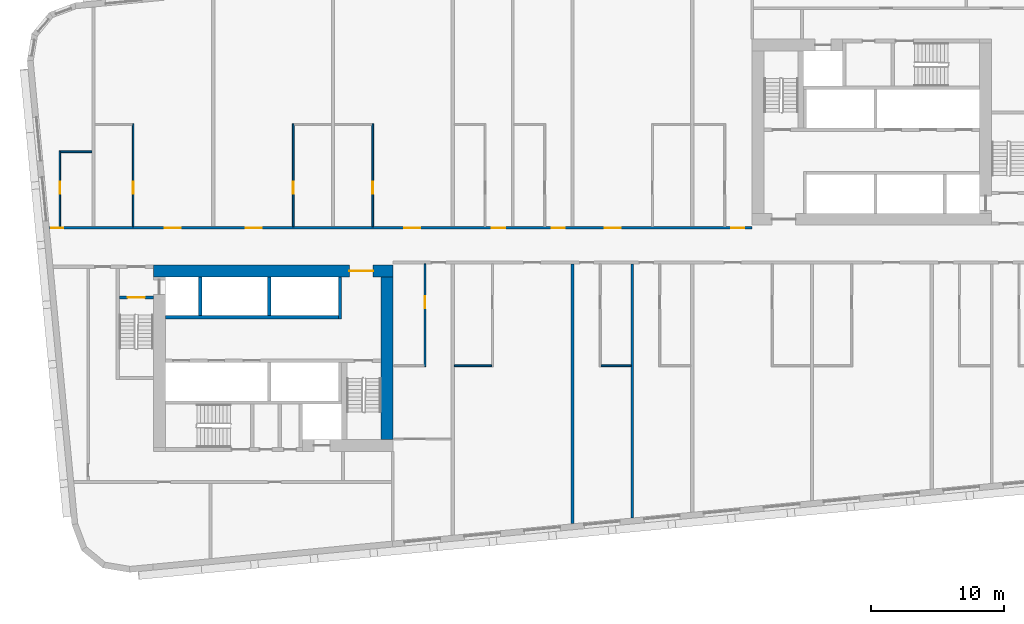
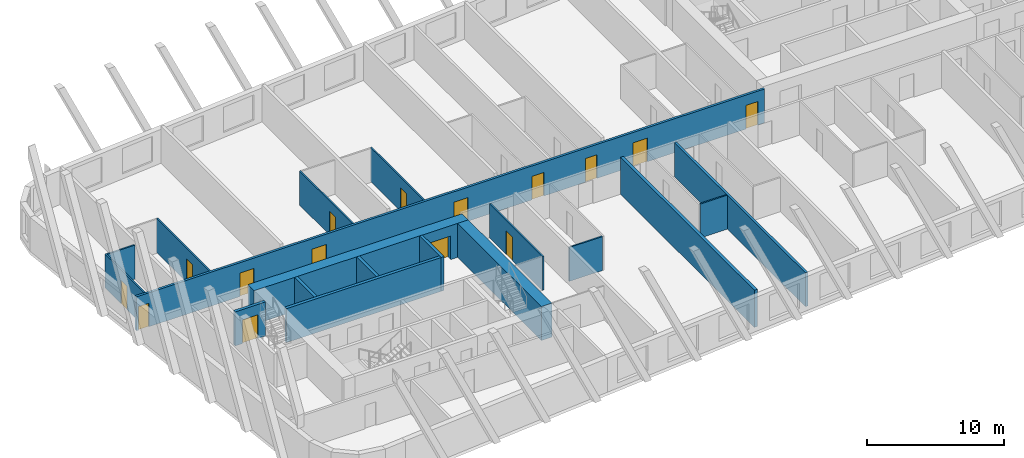
# One storey, part 3 of 13: 18 walls, 15 doors, 15 openings.
"""IFC4 building model written with IfcOpenShell, lengths in metres."""

import ifcopenshell
import ifcopenshell.guid

model = None  # the IFC model being written
_history = None  # IfcOwnerHistory: only IFC2X3 demands one
_inside = {}  # id of a spatial element -> (the spatial element, [elements in it])
_under = {}  # id of a project, library or spatial element -> (it, [spatial elements below it])
_declared = {}  # id of a project -> (the project, [libraries it declares])
_typed = {}  # id of a type object -> (the type object, [elements of that type])
_made_of = {}  # id of a material, layer set ... -> (it, [elements and type objects made of it])


def new_model(schema):
    """Start an empty IFC model of exactly this schema.

    Asked for "IFC4X3", IfcOpenShell would pick the latest addendum, in which some entities
    have other attributes; the version numbers below select the first issue.
    IFC2X3 requires an IfcOwnerHistory on every rooted entity: one is made here for all.
    """
    global model, _history
    if schema == "IFC4X3":
        model = ifcopenshell.file(schema_version=(4, 3, 0, 0))
    else:
        model = ifcopenshell.file(schema=schema)
    _inside.clear()
    _under.clear()
    _declared.clear()
    _typed.clear()
    _made_of.clear()
    _history = None
    if model.schema == "IFC2X3":
        org = make("IfcOrganization", Name="unknown")
        user = make(
            "IfcPersonAndOrganization",
            ThePerson=make("IfcPerson", FamilyName="unknown"),
            TheOrganization=org,
        )
        app = make(
            "IfcApplication",
            ApplicationDeveloper=org,
            Version="unknown",
            ApplicationFullName="unknown",
            ApplicationIdentifier="unknown",
        )
        _history = make(
            "IfcOwnerHistory",
            OwningUser=user,
            OwningApplication=app,
            ChangeAction="ADDED",
            CreationDate=0,
        )
    return model


def make(cls, **values):
    """One entity of the class cls with the attributes given. An attribute that is None is left unset."""
    return model.create_entity(
        cls, **{name: value for name, value in values.items() if value is not None}
    )


def rooted(cls, **values):
    """An entity with a GlobalId (a new one), such as an element, a storey or a relation."""
    return make(cls, GlobalId=ifcopenshell.guid.new(), OwnerHistory=_history, **values)


def si_unit(unit_type, name, prefix=None):
    """IfcSIUnit, for example si_unit("LENGTHUNIT", "METRE", prefix="MILLI")."""
    return make("IfcSIUnit", UnitType=unit_type, Prefix=prefix, Name=name)


def assignment(units):
    """IfcUnitAssignment: the units of a project."""
    return None if units is None else make("IfcUnitAssignment", Units=units)


def point(xyz):
    """IfcCartesianPoint."""
    return None if xyz is None else make("IfcCartesianPoint", Coordinates=xyz)


def direction(xyz):
    """IfcDirection."""
    return None if xyz is None else make("IfcDirection", DirectionRatios=xyz)


def frame(location, z_axis=None, x_axis=None):
    """IfcAxis2Placement3D, a coordinate frame: its origin and axes. An axis left out is left unset."""
    return make(
        "IfcAxis2Placement3D",
        Location=point(location),
        Axis=direction(z_axis),
        RefDirection=direction(x_axis),
    )


def frame_2d(location, x_axis=None):
    """IfcAxis2Placement2D, a coordinate frame in the plane: its origin and x axis."""
    return make(
        "IfcAxis2Placement2D", Location=point(location), RefDirection=direction(x_axis)
    )


def origin():
    """The frame at (0, 0, 0) with its axes left unset."""
    return frame((0.0, 0.0, 0.0))


def place(relative_to, where):
    """IfcLocalPlacement: puts the frame where relative to a parent placement (None: the world)."""
    return make(
        "IfcLocalPlacement", PlacementRelTo=relative_to, RelativePlacement=where
    )


def context(
    kind, dimensions, precision=None, world=None, true_north=None, identifier=None
):
    """IfcGeometricRepresentationContext, for example the 3D "Model" context."""
    return make(
        "IfcGeometricRepresentationContext",
        ContextIdentifier=identifier,
        ContextType=kind,
        CoordinateSpaceDimension=dimensions,
        Precision=precision,
        WorldCoordinateSystem=world,
        TrueNorth=true_north,
    )


def subcontext(parent, identifier, kind, view, scale=None):
    """IfcGeometricRepresentationSubContext, for example "Body" below "Model"."""
    return make(
        "IfcGeometricRepresentationSubContext",
        ContextIdentifier=identifier,
        ContextType=kind,
        ParentContext=parent,
        TargetScale=scale,
        TargetView=view,
    )


def project(units=None, contexts=None):
    """IfcProject with its units and contexts."""
    return rooted(
        "IfcProject",
        Name="project",
        RepresentationContexts=contexts,
        UnitsInContext=assignment(units),
    )


def spatial(cls, under=None, at=None, **own):
    """A site, building, storey or space (cls), placed at a placement, below another one or the project."""
    s = rooted(cls, ObjectPlacement=at, **own)
    if under is not None:
        _under.setdefault(under.id(), (under, []))[1].append(s)
    return s


def profile(cls, at=None, kind="AREA", **sizes):
    """A parametric profile (cls). Its sizes go by their IFC names, for example OverallWidth=200.0."""
    return make(cls, ProfileType=kind, Position=at, **sizes)


def rectangle(**sizes):
    """IfcRectangleProfileDef."""
    return profile("IfcRectangleProfileDef", **sizes)


def extrude(swept, where, along, depth):
    """IfcExtrudedAreaSolid: the profile swept, set in the frame where, extruded along a direction by depth."""
    return make(
        "IfcExtrudedAreaSolid",
        SweptArea=swept,
        Position=where,
        ExtrudedDirection=direction(along),
        Depth=depth,
    )


def shape(context_of_items, identifier, shape_type, items):
    """IfcShapeRepresentation: the items that make up one representation, for example the "Body"."""
    return make(
        "IfcShapeRepresentation",
        ContextOfItems=context_of_items,
        RepresentationIdentifier=identifier,
        RepresentationType=shape_type,
        Items=items,
    )


def material(Name=None, Category=None):
    """IfcMaterial."""
    return make("IfcMaterial", Name=Name, Category=Category)


def layer(
    of_material, thickness, ventilated=None, Name=None, Category=None, Priority=None
):
    """IfcMaterialLayer: one layer of a wall or slab, of a material (None: an air gap)."""
    return make(
        "IfcMaterialLayer",
        Material=of_material,
        LayerThickness=thickness,
        IsVentilated=ventilated,
        Name=Name,
        Category=Category,
        Priority=Priority,
    )


def layer_set(layers, Name=None):
    """IfcMaterialLayerSet."""
    return make("IfcMaterialLayerSet", MaterialLayers=layers, LayerSetName=Name)


def made_of(thing, what):
    """Note that an element or type object is made of a material, layer set ...; save() writes the relation."""
    if what is not None:
        _made_of.setdefault(what.id(), (what, []))[1].append(thing)
    return thing


def type_object(cls, material=None, **own):
    """A type object (cls), such as IfcWallType, which elements share."""
    return made_of(rooted(cls, **own), material)


def element(
    cls,
    number,
    at=None,
    inside=None,
    cuts=None,
    type_object=None,
    material=None,
    context=None,
    identifier="Body",
    shape_type=None,
    held_by="IfcProductDefinitionShape",
    body=None,
    shapes=None,
    **own,
):
    """One element of the class cls, such as IfcWall. Its Tag is "e" and its number.

    at: its placement. inside: the storey or other place that contains it. cuts: it is an
    opening in that element (IfcRelVoidsElement). A single representation is given by context,
    identifier, shape_type and body (its items); several are given by shapes. held_by: the class
    of the entity that holds the representations. save() writes the other relations.
    """
    e = rooted(cls, Tag="e%d" % number, ObjectPlacement=at, **own)
    if body is not None:
        shapes = [shape(context, identifier, shape_type, body)]
    if shapes is not None:
        e.Representation = make(held_by, Representations=shapes)
    if inside is not None:
        _inside.setdefault(inside.id(), (inside, []))[1].append(e)
    if cuts is not None:
        rooted(
            "IfcRelVoidsElement", RelatingBuildingElement=cuts, RelatedOpeningElement=e
        )
    if type_object is not None:
        _typed.setdefault(type_object.id(), (type_object, []))[1].append(e)
    return made_of(e, material)


def fill(opening, filler):
    """IfcRelFillsElement: the door or window that sits in an opening."""
    return rooted(
        "IfcRelFillsElement",
        RelatingOpeningElement=opening,
        RelatedBuildingElement=filler,
    )


def aggregate(whole, parts):
    """IfcRelAggregates: a whole, such as a stair, and the parts it consists of."""
    return rooted("IfcRelAggregates", RelatingObject=whole, RelatedObjects=parts)


def save(model, path):
    """Write the relations noted so far, then the file.

    IfcRelAggregates (storeys below a building ...), IfcRelContainedInSpatialStructure (elements
    in a storey), IfcRelDefinesByType, IfcRelAssociatesMaterial and IfcRelDeclares: one each for
    every whole, place, type object, material and project.
    """
    for whole, parts in _under.values():
        aggregate(whole, parts)
    for where, things in _inside.values():
        rooted(
            "IfcRelContainedInSpatialStructure",
            RelatedElements=things,
            RelatingStructure=where,
        )
    for kind, things in _typed.values():
        rooted("IfcRelDefinesByType", RelatedObjects=things, RelatingType=kind)
    for what, things in _made_of.values():
        rooted("IfcRelAssociatesMaterial", RelatedObjects=things, RelatingMaterial=what)
    for by, libraries in _declared.values():
        rooted("IfcRelDeclares", RelatingContext=by, RelatedDefinitions=libraries)
    model.write(path)


model = new_model("IFC4")

# Units and contexts
model_context = context("Model", 3, precision=1e-05, world=origin(), true_north=direction((0.0, 1.0)))
body_context = subcontext(model_context, "Body", "Model", "MODEL_VIEW")
ifc_project = project(units=[si_unit("LENGTHUNIT", "METRE"), si_unit("AREAUNIT", "SQUARE_METRE"), si_unit("VOLUMEUNIT", "CUBIC_METRE"), si_unit("PLANEANGLEUNIT", "RADIAN"), si_unit("MASSUNIT", "GRAM", prefix="KILO")], contexts=[model_context])

# Site, building, storey
site_placement = place(None, origin())
site = spatial("IfcSite", under=ifc_project, at=site_placement, CompositionType="ELEMENT")
building_placement = place(site_placement, origin())
building = spatial("IfcBuilding", under=site, at=building_placement, Name="Kajstack Hotel Tower", CompositionType="ELEMENT")
storey_placement = place(building_placement, frame((0.0, 0.0, 130.60009765625)))
storey = spatial("IfcBuildingStorey", under=building, at=storey_placement, Name="L29", CompositionType="ELEMENT", Elevation=130.60009765625)

# Wall, opening, door
ifc_material_1 = material(Name="Concrete C60/75", Category="concrete")
ifc_layer_1 = layer(ifc_material_1, 0.89990234375)
ifc_layer_set_1 = layer_set([ifc_layer_1], Name="Core wall 900")
wall_type_1 = type_object("IfcWallType", Name="Core wall 900", PredefinedType="SHEAR", material=ifc_layer_set_1)
wall_1_placement = place(storey_placement, frame((-31.5, -1.949951171875, 0.0), z_axis=(0.0, 0.0, 1.0), x_axis=(1.0, 0.0, 0.0)))
wall_1 = element("IfcWall", 1, at=wall_1_placement, inside=storey, type_object=wall_type_1, Name="Core wall W RN", PredefinedType="SHEAR", context=body_context, shape_type="SweptSolid", body=[
    extrude(rectangle(XDim=18.0, YDim=0.89990234375, at=frame_2d((9.0, 0.0))), origin(), (0.0, 0.0, 1.0), 3.02001953125),
])
opening_1_placement = place(wall_1_placement, frame((14.72509765625, 0.0, 0.0)))
opening_1 = element("IfcOpeningElement", 2, at=opening_1_placement, cuts=wall_1, Name="Opening 29W06", PredefinedType="OPENING", context=body_context, shape_type="SweptSolid", body=[
    extrude(rectangle(XDim=1.800048828125, YDim=2.10009765625, at=frame_2d((0.89990234375, 1.050048828125))), frame((0.0, 0.4599609375, 0.0), z_axis=(0.0, -1.0, 0.0), x_axis=(1.0, 0.0, 0.0)), (0.0, 0.0, 1.0), 0.919921875),
])
ifc_material_2 = material(Name="Glazed steel frame, fire-rated glass", Category="steel")
door_type_1 = type_object("IfcDoorType", Name="Lobby double door 1800", OperationType="DOUBLE_DOOR_DOUBLE_SWING", PredefinedType="DOOR", material=ifc_material_2)
door_1_placement = place(opening_1_placement, origin())
door_1 = element("IfcDoor", 3, at=door_1_placement, inside=storey, type_object=door_type_1, Name="Door 29W06", OperationType="DOUBLE_DOOR_DOUBLE_SWING", OverallHeight=2.10009765625, OverallWidth=1.800048828125, PredefinedType="DOOR", context=body_context, shape_type="SweptSolid", body=[
    extrude(rectangle(XDim=1.800048828125, YDim=2.10009765625, at=frame_2d((0.89990234375, 1.050048828125))), frame((0.0, 0.02490234375, 0.0), z_axis=(0.0, -1.0, 0.0), x_axis=(1.0, 0.0, 0.0)), (0.0, 0.0, 1.0), 0.050048828125),
])
fill(opening_1, door_1)

# Wall
wall_2_placement = place(storey_placement, frame((-13.949951171875, -14.60009765625, 0.0), z_axis=(0.0, 0.0, 1.0), x_axis=(0.0, 1.0, 0.0)))
element("IfcWall", 4, at=wall_2_placement, inside=storey, type_object=wall_type_1, Name="Core wall W RE", PredefinedType="SHEAR", context=body_context, shape_type="SweptSolid", body=[
    extrude(rectangle(XDim=12.2001953125, YDim=0.89990234375, at=frame_2d((6.10009765625, 0.0))), origin(), (0.0, 0.0, 1.0), 3.02001953125),
])

# Wall, openings, doors
ifc_material_3 = material(Name="Gypsum board on steel studs, mineral wool", Category="steel")
ifc_layer_2 = layer(ifc_material_3, 0.199951171875)
ifc_layer_set_2 = layer_set([ifc_layer_2], Name="Corridor wall 200")
wall_type_2 = type_object("IfcWallType", Name="Corridor wall 200", PredefinedType="PARTITIONING", material=ifc_layer_set_2)
wall_3_placement = place(storey_placement, frame((-39.31591796875, 1.300048828125, 0.0), z_axis=(0.0, 0.0, 1.0), x_axis=(1.0, 0.0, 0.0)))
wall_3 = element("IfcWall", 5, at=wall_3_placement, inside=storey, type_object=wall_type_2, Name="G-wall-L29-003", PredefinedType="PARTITIONING", context=body_context, shape_type="SweptSolid", body=[
    extrude(rectangle(XDim=52.81591796875, YDim=0.199951171875, at=frame_2d((26.407958984375, 0.0))), origin(), (0.0, 0.0, 1.0), 3.02001953125),
])
opening_2_placement = place(wall_3_placement, frame((0.14990234375, 0.0, 0.0)))
opening_2 = element("IfcOpeningElement", 6, at=opening_2_placement, cuts=wall_3, Name="Opening 29001", PredefinedType="OPENING", context=body_context, shape_type="SweptSolid", body=[
    extrude(rectangle(XDim=0.89990234375, YDim=2.10009765625, at=frame_2d((0.449951171875, 1.050048828125))), frame((0.0, 0.10986328125, 0.0), z_axis=(0.0, -1.0, 0.0), x_axis=(1.0, 0.0, 0.0)), (0.0, 0.0, 1.0), 0.219970703125),
])
opening_3_placement = place(wall_3_placement, frame((8.678955078125, 0.0, 0.0)))
opening_3 = element("IfcOpeningElement", 7, at=opening_3_placement, cuts=wall_3, Name="Opening 29003", PredefinedType="OPENING", context=body_context, shape_type="SweptSolid", body=[
    extrude(rectangle(XDim=1.199951171875, YDim=2.10009765625, at=frame_2d((0.60009765625, 1.050048828125))), frame((0.0, 0.10986328125, 0.0), z_axis=(0.0, -1.0, 0.0), x_axis=(1.0, 0.0, 0.0)), (0.0, 0.0, 1.0), 0.219970703125),
])
opening_4_placement = place(wall_3_placement, frame((14.75390625, 0.0, 0.0)))
opening_4 = element("IfcOpeningElement", 8, at=opening_4_placement, cuts=wall_3, Name="Opening 29005", PredefinedType="OPENING", context=body_context, shape_type="SweptSolid", body=[
    extrude(rectangle(XDim=1.199951171875, YDim=2.10009765625, at=frame_2d((0.60009765625, 1.050048828125))), frame((0.0, 0.10986328125, 0.0), z_axis=(0.0, -1.0, 0.0), x_axis=(1.0, 0.0, 0.0)), (0.0, 0.0, 1.0), 0.219970703125),
])
opening_5_placement = place(wall_3_placement, frame((26.677978515625, 0.0, 0.0)))
opening_5 = element("IfcOpeningElement", 9, at=opening_5_placement, cuts=wall_3, Name="Opening 29007", PredefinedType="OPENING", context=body_context, shape_type="SweptSolid", body=[
    extrude(rectangle(XDim=1.199951171875, YDim=2.10009765625, at=frame_2d((0.60009765625, 1.050048828125))), frame((0.0, 0.10986328125, 0.0), z_axis=(0.0, -1.0, 0.0), x_axis=(1.0, 0.0, 0.0)), (0.0, 0.0, 1.0), 0.219970703125),
])
opening_6_placement = place(wall_3_placement, frame((33.26611328125, 0.0, 0.0)))
opening_6 = element("IfcOpeningElement", 10, at=opening_6_placement, cuts=wall_3, Name="Opening 29009", PredefinedType="OPENING", context=body_context, shape_type="SweptSolid", body=[
    extrude(rectangle(XDim=1.0, YDim=2.10009765625, at=frame_2d((0.5, 1.050048828125))), frame((0.0, 0.10986328125, 0.0), z_axis=(0.0, -1.0, 0.0), x_axis=(1.0, 0.0, 0.0)), (0.0, 0.0, 1.0), 0.219970703125),
])
opening_7_placement = place(wall_3_placement, frame((37.740966796875, 0.0, 0.0)))
opening_7 = element("IfcOpeningElement", 11, at=opening_7_placement, cuts=wall_3, Name="Opening 29011", PredefinedType="OPENING", context=body_context, shape_type="SweptSolid", body=[
    extrude(rectangle(XDim=1.0, YDim=2.10009765625, at=frame_2d((0.5, 1.050048828125))), frame((0.0, 0.10986328125, 0.0), z_axis=(0.0, -1.0, 0.0), x_axis=(1.0, 0.0, 0.0)), (0.0, 0.0, 1.0), 0.219970703125),
])
opening_8_placement = place(wall_3_placement, frame((41.75390625, 0.0, 0.0)))
opening_8 = element("IfcOpeningElement", 12, at=opening_8_placement, cuts=wall_3, Name="Opening 29013", PredefinedType="OPENING", context=body_context, shape_type="SweptSolid", body=[
    extrude(rectangle(XDim=1.199951171875, YDim=2.10009765625, at=frame_2d((0.60009765625, 1.050048828125))), frame((0.0, 0.10986328125, 0.0), z_axis=(0.0, -1.0, 0.0), x_axis=(1.0, 0.0, 0.0)), (0.0, 0.0, 1.0), 0.219970703125),
])
opening_9_placement = place(wall_3_placement, frame((51.240966796875, 0.0, 0.0)))
opening_9 = element("IfcOpeningElement", 13, at=opening_9_placement, cuts=wall_3, Name="Opening 29015", PredefinedType="OPENING", context=body_context, shape_type="SweptSolid", body=[
    extrude(rectangle(XDim=1.0, YDim=2.10009765625, at=frame_2d((0.5, 1.050048828125))), frame((0.0, 0.10986328125, 0.0), z_axis=(0.0, -1.0, 0.0), x_axis=(1.0, 0.0, 0.0)), (0.0, 0.0, 1.0), 0.219970703125),
])
ifc_material_4 = material(Name="Oak veneer on timber core, fire-rated leaf", Category="wood")
door_type_2 = type_object("IfcDoorType", Name="Flat entrance door 1000", OperationType="SINGLE_SWING_LEFT", PredefinedType="DOOR", material=ifc_material_4)
door_2_placement = place(opening_6_placement, origin())
door_2 = element("IfcDoor", 14, at=door_2_placement, inside=storey, type_object=door_type_2, Name="G-door-L29-09", OperationType="SINGLE_SWING_RIGHT", OverallHeight=2.10009765625, OverallWidth=1.0, PredefinedType="DOOR", context=body_context, shape_type="SweptSolid", body=[
    extrude(rectangle(XDim=1.0, YDim=2.10009765625, at=frame_2d((0.5, 1.050048828125))), frame((0.0, 0.02490234375, 0.0), z_axis=(0.0, -1.0, 0.0), x_axis=(1.0, 0.0, 0.0)), (0.0, 0.0, 1.0), 0.050048828125),
])
fill(opening_6, door_2)
door_3_placement = place(opening_7_placement, origin())
door_3 = element("IfcDoor", 15, at=door_3_placement, inside=storey, type_object=door_type_2, Name="G-door-L29-11", OperationType="SINGLE_SWING_RIGHT", OverallHeight=2.10009765625, OverallWidth=1.0, PredefinedType="DOOR", context=body_context, shape_type="SweptSolid", body=[
    extrude(rectangle(XDim=1.0, YDim=2.10009765625, at=frame_2d((0.5, 1.050048828125))), frame((0.0, 0.02490234375, 0.0), z_axis=(0.0, -1.0, 0.0), x_axis=(1.0, 0.0, 0.0)), (0.0, 0.0, 1.0), 0.050048828125),
])
fill(opening_7, door_3)
door_4_placement = place(opening_9_placement, origin())
door_4 = element("IfcDoor", 16, at=door_4_placement, inside=storey, type_object=door_type_2, Name="G-door-L29-15", OperationType="SINGLE_SWING_LEFT", OverallHeight=2.10009765625, OverallWidth=1.0, PredefinedType="DOOR", context=body_context, shape_type="SweptSolid", body=[
    extrude(rectangle(XDim=1.0, YDim=2.10009765625, at=frame_2d((0.5, 1.050048828125))), frame((0.0, 0.02490234375, 0.0), z_axis=(0.0, -1.0, 0.0), x_axis=(1.0, 0.0, 0.0)), (0.0, 0.0, 1.0), 0.050048828125),
])
fill(opening_9, door_4)
door_type_3 = type_object("IfcDoorType", Name="Flat entrance door 1200", OperationType="SINGLE_SWING_LEFT", PredefinedType="DOOR", material=ifc_material_4)
door_5_placement = place(opening_3_placement, origin())
door_5 = element("IfcDoor", 17, at=door_5_placement, inside=storey, type_object=door_type_3, Name="G-door-L29-03", OperationType="SINGLE_SWING_LEFT", OverallHeight=2.10009765625, OverallWidth=1.199951171875, PredefinedType="DOOR", context=body_context, shape_type="SweptSolid", body=[
    extrude(rectangle(XDim=1.199951171875, YDim=2.10009765625, at=frame_2d((0.60009765625, 1.050048828125))), frame((0.0, 0.02490234375, 0.0), z_axis=(0.0, -1.0, 0.0), x_axis=(1.0, 0.0, 0.0)), (0.0, 0.0, 1.0), 0.050048828125),
])
fill(opening_3, door_5)
door_6_placement = place(opening_4_placement, origin())
door_6 = element("IfcDoor", 18, at=door_6_placement, inside=storey, type_object=door_type_3, Name="G-door-L29-05", OperationType="SINGLE_SWING_LEFT", OverallHeight=2.10009765625, OverallWidth=1.199951171875, PredefinedType="DOOR", context=body_context, shape_type="SweptSolid", body=[
    extrude(rectangle(XDim=1.199951171875, YDim=2.10009765625, at=frame_2d((0.60009765625, 1.050048828125))), frame((0.0, 0.02490234375, 0.0), z_axis=(0.0, -1.0, 0.0), x_axis=(1.0, 0.0, 0.0)), (0.0, 0.0, 1.0), 0.050048828125),
])
fill(opening_4, door_6)
door_7_placement = place(opening_5_placement, origin())
door_7 = element("IfcDoor", 19, at=door_7_placement, inside=storey, type_object=door_type_3, Name="G-door-L29-07", OperationType="SINGLE_SWING_LEFT", OverallHeight=2.10009765625, OverallWidth=1.199951171875, PredefinedType="DOOR", context=body_context, shape_type="SweptSolid", body=[
    extrude(rectangle(XDim=1.199951171875, YDim=2.10009765625, at=frame_2d((0.60009765625, 1.050048828125))), frame((0.0, 0.02490234375, 0.0), z_axis=(0.0, -1.0, 0.0), x_axis=(1.0, 0.0, 0.0)), (0.0, 0.0, 1.0), 0.050048828125),
])
fill(opening_5, door_7)
door_8_placement = place(opening_8_placement, origin())
door_8 = element("IfcDoor", 20, at=door_8_placement, inside=storey, type_object=door_type_3, Name="G-door-L29-13", OperationType="SINGLE_SWING_LEFT", OverallHeight=2.10009765625, OverallWidth=1.199951171875, PredefinedType="DOOR", context=body_context, shape_type="SweptSolid", body=[
    extrude(rectangle(XDim=1.199951171875, YDim=2.10009765625, at=frame_2d((0.60009765625, 1.050048828125))), frame((0.0, 0.02490234375, 0.0), z_axis=(0.0, -1.0, 0.0), x_axis=(1.0, 0.0, 0.0)), (0.0, 0.0, 1.0), 0.050048828125),
])
fill(opening_8, door_8)
ifc_material_5 = material(Name="Painted timber door leaf", Category="wood")
door_type_4 = type_object("IfcDoorType", Name="Room door 900", OperationType="SINGLE_SWING_LEFT", PredefinedType="DOOR", material=ifc_material_5)
door_9_placement = place(opening_2_placement, origin())
door_9 = element("IfcDoor", 21, at=door_9_placement, inside=storey, type_object=door_type_4, Name="G-door-L29-01", OperationType="SINGLE_SWING_LEFT", OverallHeight=2.10009765625, OverallWidth=0.89990234375, PredefinedType="DOOR", context=body_context, shape_type="SweptSolid", body=[
    extrude(rectangle(XDim=0.89990234375, YDim=2.10009765625, at=frame_2d((0.449951171875, 1.050048828125))), frame((0.0, 0.02490234375, 0.0), z_axis=(0.0, -1.0, 0.0), x_axis=(1.0, 0.0, 0.0)), (0.0, 0.0, 1.0), 0.050048828125),
])
fill(opening_2, door_9)

# Wall
ifc_material_6 = material(Name="Twin-frame gypsum board on steel studs, mineral wool", Category="steel")
ifc_layer_3 = layer(ifc_material_6, 0.199951171875)
ifc_layer_set_3 = layer_set([ifc_layer_3], Name="Demising wall 200")
wall_type_3 = type_object("IfcWallType", Name="Demising wall 200", PredefinedType="PARTITIONING", material=ifc_layer_set_3)
wall_4_placement = place(storey_placement, frame((4.5, -20.4990234375, 0.0), z_axis=(0.0, 0.0, 1.0), x_axis=(0.0, 1.0, 0.0)))
element("IfcWall", 22, at=wall_4_placement, inside=storey, type_object=wall_type_3, Name="G-wall-L29-027", PredefinedType="PARTITIONING", context=body_context, shape_type="SweptSolid", body=[
    extrude(rectangle(XDim=19.09912109375, YDim=0.199951171875, at=frame_2d((9.549560546875, 0.0))), origin(), (0.0, 0.0, 1.0), 3.02001953125),
])

# Wall, opening, door
ifc_material_7 = material(Name="Gypsum board and tiled backer on steel studs", Category="steel")
ifc_layer_4 = layer(ifc_material_7, 0.125)
ifc_layer_set_4 = layer_set([ifc_layer_4], Name="En-suite wall 125")
wall_type_4 = type_object("IfcWallType", Name="En-suite wall 125", PredefinedType="PARTITIONING", material=ifc_layer_set_4)
wall_5_placement = place(storey_placement, frame((-38.51904296875, 1.39990234375, 0.0), z_axis=(0.0, 0.0, 1.0), x_axis=(0.0, 1.0, 0.0)))
wall_5 = element("IfcWall", 23, at=wall_5_placement, inside=storey, type_object=wall_type_4, Name="G-wall-L29-004", PredefinedType="PARTITIONING", context=body_context, shape_type="SweptSolid", body=[
    extrude(rectangle(XDim=5.68408203125, YDim=0.125, at=frame_2d((2.842041015625, 0.0))), origin(), (0.0, 0.0, 1.0), 3.02001953125),
])
opening_10_placement = place(wall_5_placement, frame((2.449951171875, 0.0, 0.0)))
opening_10 = element("IfcOpeningElement", 24, at=opening_10_placement, cuts=wall_5, Name="Opening 29002", PredefinedType="OPENING", context=body_context, shape_type="SweptSolid", body=[
    extrude(rectangle(XDim=0.89990234375, YDim=2.10009765625, at=frame_2d((0.449951171875, 1.050048828125))), frame((0.0, 0.072509765625, 0.0), z_axis=(0.0, -1.0, 0.0), x_axis=(1.0, 0.0, 0.0)), (0.0, 0.0, 1.0), 0.14501953125),
])
door_10_placement = place(opening_10_placement, origin())
door_10 = element("IfcDoor", 25, at=door_10_placement, inside=storey, type_object=door_type_4, Name="G-door-L29-02", OperationType="SINGLE_SWING_LEFT", OverallHeight=2.10009765625, OverallWidth=0.89990234375, PredefinedType="DOOR", context=body_context, shape_type="SweptSolid", body=[
    extrude(rectangle(XDim=0.89990234375, YDim=2.10009765625, at=frame_2d((0.449951171875, 1.050048828125))), frame((0.0, 0.02490234375, 0.0), z_axis=(0.0, -1.0, 0.0), x_axis=(1.0, 0.0, 0.0)), (0.0, 0.0, 1.0), 0.050048828125),
])
fill(opening_10, door_10)

# Wall
wall_6_placement = place(storey_placement, frame((-38.45703125, 7.02197265625, 0.0), z_axis=(0.0, 0.0, 1.0), x_axis=(1.0, 0.0, 0.0)))
element("IfcWall", 26, at=wall_6_placement, inside=storey, type_object=wall_type_4, Name="G-wall-L29-005", PredefinedType="PARTITIONING", context=body_context, shape_type="SweptSolid", body=[
    extrude(rectangle(XDim=2.33203125, YDim=0.125, at=frame_2d((1.166015625, 0.0))), origin(), (0.0, 0.0, 1.0), 3.02001953125),
])

# Wall, opening, door
wall_7_placement = place(storey_placement, frame((-33.012939453125, 1.39990234375, 0.0), z_axis=(0.0, 0.0, 1.0), x_axis=(0.0, 1.0, 0.0)))
wall_7 = element("IfcWall", 27, at=wall_7_placement, inside=storey, type_object=wall_type_4, Name="G-wall-L29-006", PredefinedType="PARTITIONING", context=body_context, shape_type="SweptSolid", body=[
    extrude(rectangle(XDim=7.72509765625, YDim=0.125, at=frame_2d((3.862548828125, 0.0))), origin(), (0.0, 0.0, 1.0), 3.02001953125),
])
opening_11_placement = place(wall_7_placement, frame((2.449951171875, 0.0, 0.0)))
opening_11 = element("IfcOpeningElement", 28, at=opening_11_placement, cuts=wall_7, Name="Opening 29004", PredefinedType="OPENING", context=body_context, shape_type="SweptSolid", body=[
    extrude(rectangle(XDim=0.89990234375, YDim=2.10009765625, at=frame_2d((0.449951171875, 1.050048828125))), frame((0.0, 0.072509765625, 0.0), z_axis=(0.0, -1.0, 0.0), x_axis=(1.0, 0.0, 0.0)), (0.0, 0.0, 1.0), 0.14501953125),
])
door_11_placement = place(opening_11_placement, origin())
door_11 = element("IfcDoor", 29, at=door_11_placement, inside=storey, type_object=door_type_4, Name="G-door-L29-04", OperationType="SINGLE_SWING_RIGHT", OverallHeight=2.10009765625, OverallWidth=0.89990234375, PredefinedType="DOOR", context=body_context, shape_type="SweptSolid", body=[
    extrude(rectangle(XDim=0.89990234375, YDim=2.10009765625, at=frame_2d((0.449951171875, 1.050048828125))), frame((0.0, 0.02490234375, 0.0), z_axis=(0.0, -1.0, 0.0), x_axis=(1.0, 0.0, 0.0)), (0.0, 0.0, 1.0), 0.050048828125),
])
fill(opening_11, door_11)

wall_8_placement = place(storey_placement, frame((-20.988037109375, 1.39990234375, 0.0), z_axis=(0.0, 0.0, 1.0), x_axis=(0.0, 1.0, 0.0)))
wall_8 = element("IfcWall", 30, at=wall_8_placement, inside=storey, type_object=wall_type_4, Name="G-wall-L29-008", PredefinedType="PARTITIONING", context=body_context, shape_type="SweptSolid", body=[
    extrude(rectangle(XDim=7.72509765625, YDim=0.125, at=frame_2d((3.862548828125, 0.0))), origin(), (0.0, 0.0, 1.0), 3.02001953125),
])
opening_12_placement = place(wall_8_placement, frame((2.449951171875, 0.0, 0.0)))
opening_12 = element("IfcOpeningElement", 31, at=opening_12_placement, cuts=wall_8, Name="Opening 29006", PredefinedType="OPENING", context=body_context, shape_type="SweptSolid", body=[
    extrude(rectangle(XDim=0.89990234375, YDim=2.10009765625, at=frame_2d((0.449951171875, 1.050048828125))), frame((0.0, 0.072509765625, 0.0), z_axis=(0.0, -1.0, 0.0), x_axis=(1.0, 0.0, 0.0)), (0.0, 0.0, 1.0), 0.14501953125),
])
door_12_placement = place(opening_12_placement, origin())
door_12 = element("IfcDoor", 32, at=door_12_placement, inside=storey, type_object=door_type_4, Name="G-door-L29-06", OperationType="SINGLE_SWING_LEFT", OverallHeight=2.10009765625, OverallWidth=0.89990234375, PredefinedType="DOOR", context=body_context, shape_type="SweptSolid", body=[
    extrude(rectangle(XDim=0.89990234375, YDim=2.10009765625, at=frame_2d((0.449951171875, 1.050048828125))), frame((0.0, 0.02490234375, 0.0), z_axis=(0.0, -1.0, 0.0), x_axis=(1.0, 0.0, 0.0)), (0.0, 0.0, 1.0), 0.050048828125),
])
fill(opening_12, door_12)

wall_9_placement = place(storey_placement, frame((-15.011962890625, 1.39990234375, 0.0), z_axis=(0.0, 0.0, 1.0), x_axis=(0.0, 1.0, 0.0)))
wall_9 = element("IfcWall", 33, at=wall_9_placement, inside=storey, type_object=wall_type_4, Name="G-wall-L29-010", PredefinedType="PARTITIONING", context=body_context, shape_type="SweptSolid", body=[
    extrude(rectangle(XDim=7.72509765625, YDim=0.125, at=frame_2d((3.862548828125, 0.0))), origin(), (0.0, 0.0, 1.0), 3.02001953125),
])
opening_13_placement = place(wall_9_placement, frame((2.449951171875, 0.0, 0.0)))
opening_13 = element("IfcOpeningElement", 34, at=opening_13_placement, cuts=wall_9, Name="Opening 29008", PredefinedType="OPENING", context=body_context, shape_type="SweptSolid", body=[
    extrude(rectangle(XDim=0.89990234375, YDim=2.10009765625, at=frame_2d((0.449951171875, 1.050048828125))), frame((0.0, 0.072509765625, 0.0), z_axis=(0.0, -1.0, 0.0), x_axis=(1.0, 0.0, 0.0)), (0.0, 0.0, 1.0), 0.14501953125),
])
door_13_placement = place(opening_13_placement, origin())
door_13 = element("IfcDoor", 35, at=door_13_placement, inside=storey, type_object=door_type_4, Name="G-door-L29-08", OperationType="SINGLE_SWING_RIGHT", OverallHeight=2.10009765625, OverallWidth=0.89990234375, PredefinedType="DOOR", context=body_context, shape_type="SweptSolid", body=[
    extrude(rectangle(XDim=0.89990234375, YDim=2.10009765625, at=frame_2d((0.449951171875, 1.050048828125))), frame((0.0, 0.02490234375, 0.0), z_axis=(0.0, -1.0, 0.0), x_axis=(1.0, 0.0, 0.0)), (0.0, 0.0, 1.0), 0.050048828125),
])
fill(opening_13, door_13)

wall_10_placement = place(storey_placement, frame((-11.087890625, -9.125, 0.0), z_axis=(0.0, 0.0, 1.0), x_axis=(0.0, 1.0, 0.0)))
wall_10 = element("IfcWall", 36, at=wall_10_placement, inside=storey, type_object=wall_type_4, Name="G-wall-L29-022", PredefinedType="PARTITIONING", context=body_context, shape_type="SweptSolid", body=[
    extrude(rectangle(XDim=7.72509765625, YDim=0.125, at=frame_2d((3.862548828125, 0.0))), origin(), (0.0, 0.0, 1.0), 3.02001953125),
])
opening_14_placement = place(wall_10_placement, frame((4.375, 0.0, 0.0)))
opening_14 = element("IfcOpeningElement", 37, at=opening_14_placement, cuts=wall_10, Name="Opening 29018", PredefinedType="OPENING", context=body_context, shape_type="SweptSolid", body=[
    extrude(rectangle(XDim=0.89990234375, YDim=2.10009765625, at=frame_2d((0.449951171875, 1.050048828125))), frame((0.0, 0.072509765625, 0.0), z_axis=(0.0, -1.0, 0.0), x_axis=(1.0, 0.0, 0.0)), (0.0, 0.0, 1.0), 0.14501953125),
])
door_14_placement = place(opening_14_placement, origin())
door_14 = element("IfcDoor", 38, at=door_14_placement, inside=storey, type_object=door_type_4, Name="G-door-L29-18", OperationType="SINGLE_SWING_RIGHT", OverallHeight=2.10009765625, OverallWidth=0.89990234375, PredefinedType="DOOR", context=body_context, shape_type="SweptSolid", body=[
    extrude(rectangle(XDim=0.89990234375, YDim=2.10009765625, at=frame_2d((0.449951171875, 1.050048828125))), frame((0.0, 0.02490234375, 0.0), z_axis=(0.0, -1.0, 0.0), x_axis=(1.0, 0.0, 0.0)), (0.0, 0.0, 1.0), 0.050048828125),
])
fill(opening_14, door_14)

# Walls
wall_11_placement = place(storey_placement, frame((-8.875, -9.06201171875, 0.0), z_axis=(0.0, 0.0, 1.0), x_axis=(1.0, 0.0, 0.0)))
element("IfcWall", 39, at=wall_11_placement, inside=storey, type_object=wall_type_4, Name="G-wall-L29-026", PredefinedType="PARTITIONING", context=body_context, shape_type="SweptSolid", body=[
    extrude(rectangle(XDim=2.800048828125, YDim=0.125, at=frame_2d((1.39990234375, 0.0))), origin(), (0.0, 0.0, 1.0), 3.02001953125),
])
wall_12_placement = place(storey_placement, frame((2.14990234375, -9.06201171875, 0.0), z_axis=(0.0, 0.0, 1.0), x_axis=(1.0, 0.0, 0.0)))
element("IfcWall", 40, at=wall_12_placement, inside=storey, type_object=wall_type_4, Name="G-wall-L29-029", PredefinedType="PARTITIONING", context=body_context, shape_type="SweptSolid", body=[
    extrude(rectangle(XDim=2.25, YDim=0.125, at=frame_2d((1.125, 0.0))), origin(), (0.0, 0.0, 1.0), 3.02001953125),
])
ifc_material_8 = material(Name="Concrete C50/60", Category="concrete")
ifc_layer_5 = layer(ifc_material_8, 0.300048828125)
ifc_layer_set_5 = layer_set([ifc_layer_5], Name="Hoistway divider wall 300")
wall_type_5 = type_object("IfcWallType", Name="Hoistway divider wall 300", PredefinedType="SHEAR", material=ifc_layer_set_5)
wall_13_placement = place(storey_placement, frame((-22.77490234375, -5.300048828125, 0.0), z_axis=(0.0, 0.0, 1.0), x_axis=(0.0, 1.0, 0.0)))
element("IfcWall", 41, at=wall_13_placement, inside=storey, type_object=wall_type_5, Name="Core wall W AP2", PredefinedType="SHEAR", context=body_context, shape_type="SweptSolid", body=[
    extrude(rectangle(XDim=2.900146484375, YDim=0.25, at=frame_2d((1.4501953125, 0.0))), origin(), (0.0, 0.0, 1.0), 3.02001953125),
])
ifc_material_9 = material(Name="Concrete C55/67", Category="concrete")
ifc_layer_6 = layer(ifc_material_9, 0.25)
ifc_layer_set_6 = layer_set([ifc_layer_6], Name="RC cross wall 250 C55/67")
wall_type_6 = type_object("IfcWallType", Name="RC cross wall 250 C55/67", PredefinedType="SHEAR", material=ifc_layer_set_6)
wall_14_placement = place(storey_placement, frame((0.0, -20.910400390625, 0.0), z_axis=(0.0, 0.0, 1.0), x_axis=(0.0, 1.0, 0.0)))
element("IfcWall", 42, at=wall_14_placement, inside=storey, type_object=wall_type_6, Name="S-wall-L29-06", PredefinedType="SHEAR", context=body_context, shape_type="SweptSolid", body=[
    extrude(rectangle(XDim=19.510498046875, YDim=0.25, at=frame_2d((9.75537109375, 0.0))), origin(), (0.0, 0.0, 1.0), 3.2998046875),
])
ifc_layer_7 = layer(ifc_material_8, 0.25)
ifc_layer_set_7 = layer_set([ifc_layer_7], Name="Shaft wall 250")
wall_type_7 = type_object("IfcWallType", Name="Shaft wall 250", PredefinedType="SHEAR", material=ifc_layer_set_7)
wall_15_placement = place(storey_placement, frame((-30.60009765625, -5.425048828125, 0.0), z_axis=(0.0, 0.0, 1.0), x_axis=(1.0, 0.0, 0.0)))
element("IfcWall", 43, at=wall_15_placement, inside=storey, type_object=wall_type_7, Name="Core wall W FA", PredefinedType="SHEAR", context=body_context, shape_type="SweptSolid", body=[
    extrude(rectangle(XDim=13.0, YDim=0.25, at=frame_2d((6.5, 0.0))), origin(), (0.0, 0.0, 1.0), 3.02001953125),
])
wall_16_placement = place(storey_placement, frame((-17.47509765625, -5.550048828125, 0.0), z_axis=(0.0, 0.0, 1.0), x_axis=(0.0, 1.0, 0.0)))
element("IfcWall", 44, at=wall_16_placement, inside=storey, type_object=wall_type_7, Name="Core wall W AE", PredefinedType="SHEAR", context=body_context, shape_type="SweptSolid", body=[
    extrude(rectangle(XDim=3.150146484375, YDim=0.25, at=frame_2d((1.5751953125, 0.0))), origin(), (0.0, 0.0, 1.0), 3.02001953125),
])
wall_17_placement = place(storey_placement, frame((-27.97509765625, -5.300048828125, 0.0), z_axis=(0.0, 0.0, 1.0), x_axis=(0.0, 1.0, 0.0)))
element("IfcWall", 45, at=wall_17_placement, inside=storey, type_object=wall_type_7, Name="Core wall W AP0", PredefinedType="SHEAR", context=body_context, shape_type="SweptSolid", body=[
    extrude(rectangle(XDim=2.900146484375, YDim=0.25, at=frame_2d((1.4501953125, 0.0))), origin(), (0.0, 0.0, 1.0), 3.02001953125),
])

# Wall, opening, door
ifc_material_10 = material(Name="Concrete C40/50", Category="concrete")
ifc_layer_8 = layer(ifc_material_10, 0.25)
ifc_layer_set_8 = layer_set([ifc_layer_8], Name="Stair enclosure wall 250")
wall_type_8 = type_object("IfcWallType", Name="Stair enclosure wall 250", PredefinedType="SHEAR", material=ifc_layer_set_8)
wall_18_placement = place(storey_placement, frame((-34.050048828125, -3.925048828125, 0.0), z_axis=(0.0, 0.0, 1.0), x_axis=(1.0, 0.0, 0.0)))
wall_18 = element("IfcWall", 46, at=wall_18_placement, inside=storey, type_object=wall_type_8, Name="Core wall W W1N", PredefinedType="SHEAR", context=body_context, shape_type="SweptSolid", body=[
    extrude(rectangle(XDim=2.550048828125, YDim=0.25, at=frame_2d((1.27490234375, 0.0))), origin(), (0.0, 0.0, 1.0), 3.02001953125),
])
opening_15_placement = place(wall_18_placement, frame((0.625, 0.0, 0.0)))
opening_15 = element("IfcOpeningElement", 47, at=opening_15_placement, cuts=wall_18, Name="Opening 29W08", PredefinedType="OPENING", context=body_context, shape_type="SweptSolid", body=[
    extrude(rectangle(XDim=1.300048828125, YDim=2.10009765625, at=frame_2d((0.64990234375, 1.050048828125))), frame((0.0, 0.135009765625, 0.0), z_axis=(0.0, -1.0, 0.0), x_axis=(1.0, 0.0, 0.0)), (0.0, 0.0, 1.0), 0.27001953125),
])
ifc_material_11 = material(Name="Steel leaf, fire-rated", Category="steel")
door_type_5 = type_object("IfcDoorType", Name="Stair door 1300", OperationType="SINGLE_SWING_LEFT", PredefinedType="DOOR", material=ifc_material_11)
door_15_placement = place(opening_15_placement, origin())
door_15 = element("IfcDoor", 48, at=door_15_placement, inside=storey, type_object=door_type_5, Name="Door 29W08", OperationType="SINGLE_SWING_RIGHT", OverallHeight=2.10009765625, OverallWidth=1.300048828125, PredefinedType="DOOR", context=body_context, shape_type="SweptSolid", body=[
    extrude(rectangle(XDim=1.300048828125, YDim=2.10009765625, at=frame_2d((0.64990234375, 1.050048828125))), frame((0.0, 0.02490234375, 0.0), z_axis=(0.0, -1.0, 0.0), x_axis=(1.0, 0.0, 0.0)), (0.0, 0.0, 1.0), 0.050048828125),
])
fill(opening_15, door_15)

save(model, "model.ifc")
